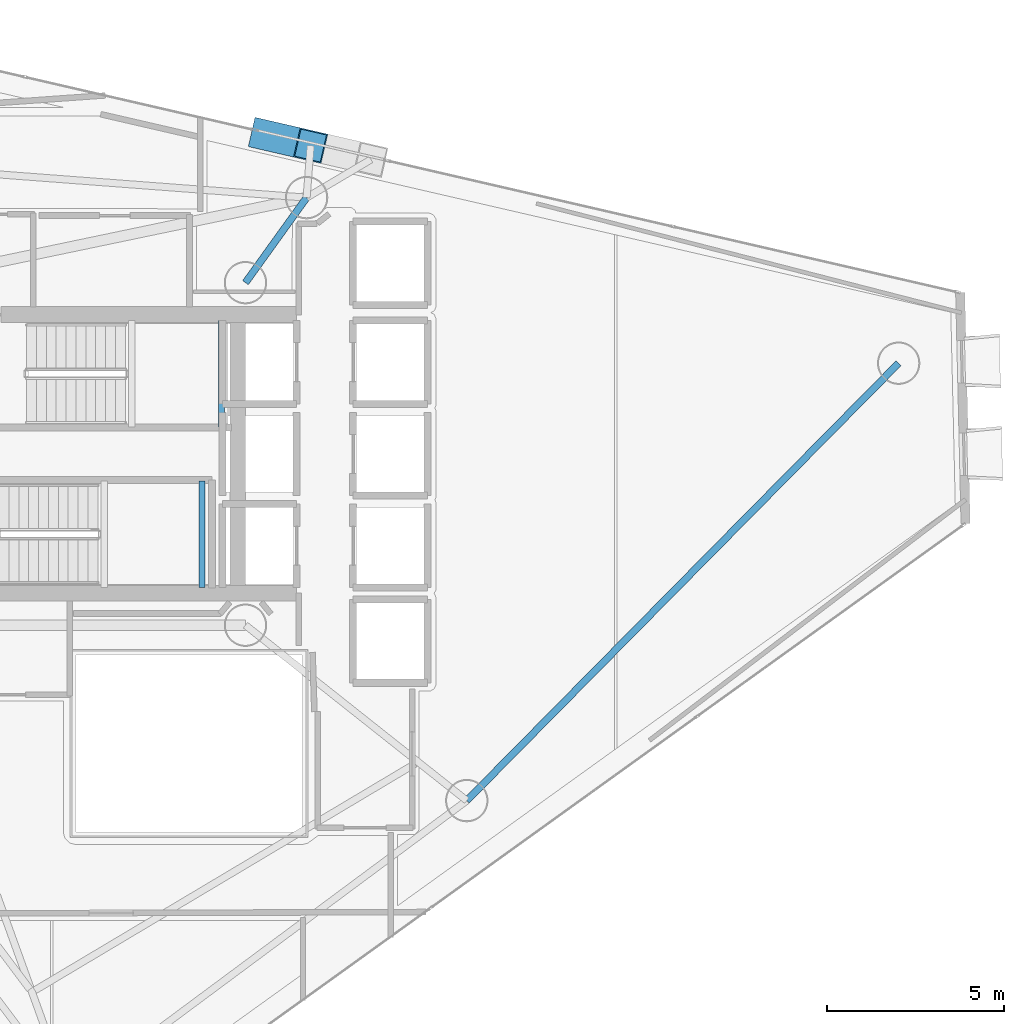
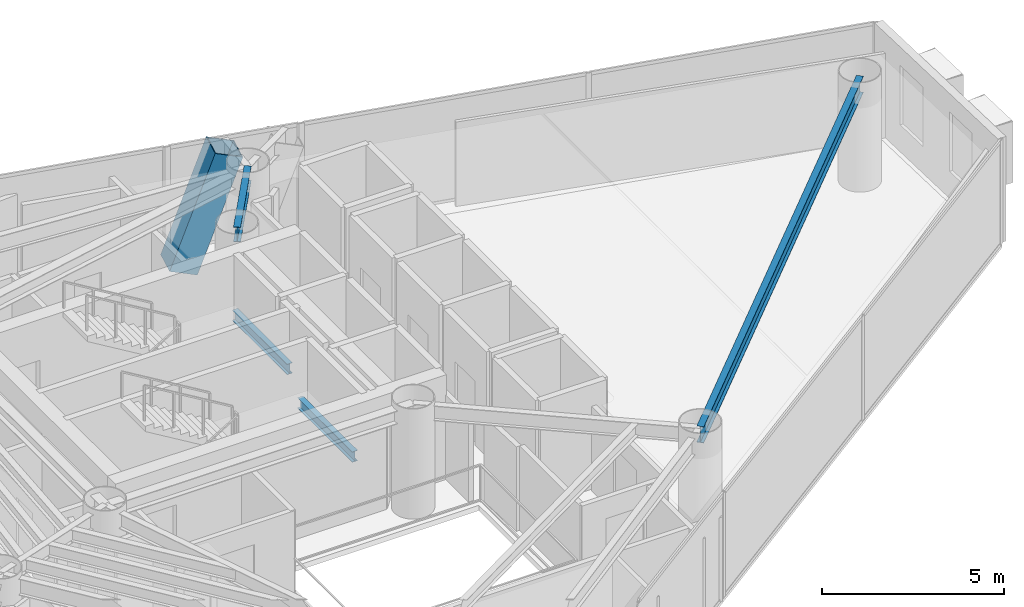
# One storey, part 12 of 22: 4 beams, 1 member.
"""IFC4 building model written with IfcOpenShell, lengths in metres."""

from ifc_helpers import new_model, si_unit, direction, frame, origin, origin_2d, place, context, subcontext, project, spatial, hollow_rectangle, i_section, extrude, material, material_profile, profile_set, type_object, element, save


model = new_model("IFC4")

# Units and contexts
model_context = context("Model", 3, precision=1e-05, world=origin(), true_north=direction((0.0, 1.0)))
body_context = subcontext(model_context, "Body", "Model", "MODEL_VIEW")
ifc_project = project(units=[si_unit("LENGTHUNIT", "METRE"), si_unit("AREAUNIT", "SQUARE_METRE"), si_unit("VOLUMEUNIT", "CUBIC_METRE"), si_unit("PLANEANGLEUNIT", "RADIAN"), si_unit("MASSUNIT", "GRAM", prefix="KILO")], contexts=[model_context])

# Site, building, storey
site_placement = place(None, origin())
site = spatial("IfcSite", under=ifc_project, at=site_placement, CompositionType="ELEMENT")
building_placement = place(site_placement, origin())
building = spatial("IfcBuilding", under=site, at=building_placement, Name="Qianvela Tower", CompositionType="ELEMENT")
storey_placement = place(building_placement, frame((0.0, 0.0, 200.300048828125)))
storey = spatial("IfcBuildingStorey", under=building, at=storey_placement, Name="L51", CompositionType="ELEMENT", Elevation=200.300048828125)

# Beams
ifc_material_1 = material(Name="Steel Q355B", Category="steel")
ifc_material_profile_1 = material_profile(ifc_material_1, i_section(OverallWidth=0.175048828125, OverallDepth=0.35009765625, WebThickness=0.007080078125, FlangeThickness=0.010986328125, at=origin_2d()), Name="HN350x175x7x11")
ifc_profile_set_1 = profile_set([ifc_material_profile_1], Name="Steel Q355B")
beam_type_1 = type_object("IfcBeamType", Name="BM-HN350-JOIST", PredefinedType="JOIST", material=ifc_profile_set_1)
for number, where, z_axis, x_axis, name in (
    (1, (37.719970703125, 29.4599609375, 1.474853515625), (0.0, 1.0, 0.0), (-1.0, 0.0, 0.0), "L51 Stair ST-1 Landing Support Beam 1.2"),
    (2, (37.169921875, 24.919921875, 1.474853515625), (0.0, 1.0, 0.0), (-1.0, 0.0, 0.0), "L51 Stair ST-2 Landing Support Beam 1.2"),
):
    element("IfcBeam", number, at=place(storey_placement, frame(where, z_axis=z_axis, x_axis=x_axis)), inside=storey, type_object=beam_type_1, Name=name, PredefinedType="JOIST", context=body_context, shape_type="SweptSolid", body=[
        extrude(i_section(OverallWidth=0.175048828125, OverallDepth=0.35009765625, WebThickness=0.007080078125, FlangeThickness=0.010986328125, at=origin_2d()), origin(), (0.0, 0.0, 1.0), 3.02001953125),
    ])
ifc_material_2 = material(Name="Steel Q355B", Category="steel")
ifc_material_profile_2 = material_profile(ifc_material_2, i_section(OverallWidth=0.199951171875, OverallDepth=0.5, WebThickness=0.010009765625, FlangeThickness=0.01611328125, at=origin_2d()), Name="HN500x200x10x16")
ifc_profile_set_2 = profile_set([ifc_material_profile_2], Name="Steel Q355B")
beam_type_2 = type_object("IfcBeamType", Name="BM-HN500-GIRD", PredefinedType="BEAM", material=ifc_profile_set_2)
beam_1_placement = place(storey_placement, frame((38.39990234375, 33.550048828125, 3.26806640625), z_axis=(0.583742907536, 0.811938555496, 0.0), x_axis=(-0.811938555496, 0.583742907536, 0.0)))
element("IfcBeam", 3, at=beam_1_placement, inside=storey, type_object=beam_type_2, Name="L51 Radial Primary Floor Girder 2", PredefinedType="BEAM", context=body_context, shape_type="SweptSolid", body=[
    extrude(i_section(OverallWidth=0.199951171875, OverallDepth=0.5, WebThickness=0.010009765625, FlangeThickness=0.01611328125, at=origin_2d()), origin(), (0.0, 0.0, 1.0), 2.965576171875),
])
ifc_material_3 = material(Name="Steel Q355B", Category="steel")
ifc_material_profile_3 = material_profile(ifc_material_3, i_section(OverallWidth=0.199951171875, OverallDepth=0.550048828125, WebThickness=0.010009765625, FlangeThickness=0.01611328125, at=origin_2d()), Name="HN550x200x10x16")
ifc_profile_set_3 = profile_set([ifc_material_profile_3], Name="Steel Q355B")
beam_type_3 = type_object("IfcBeamType", Name="BM-HN550-GIRD", PredefinedType="BEAM", material=ifc_profile_set_3)
beam_2_placement = place(storey_placement, frame((44.6669921875, 18.883056640625, 3.242919921875), z_axis=(0.702583270685, 0.711601537205, 0.0), x_axis=(-0.711601537205, 0.702583270685, 0.0)))
element("IfcBeam", 4, at=beam_2_placement, inside=storey, type_object=beam_type_3, Name="L51 Perimeter Ring Spandrel Girder 6", PredefinedType="BEAM", context=body_context, shape_type="SweptSolid", body=[
    extrude(i_section(OverallWidth=0.199951171875, OverallDepth=0.550048828125, WebThickness=0.010009765625, FlangeThickness=0.01611328125, at=origin_2d()), origin(), (0.0, 0.0, 1.0), 17.4072265625),
])

# Member
ifc_material_4 = material(Name="Steel Q420GJC", Category="steel")
ifc_material_profile_4 = material_profile(ifc_material_4, hollow_rectangle(XDim=0.85009765625, YDim=0.85009765625, WallThickness=0.031982421875, at=origin_2d()), Name="MBOX-850x850x32")
ifc_profile_set_4 = profile_set([ifc_material_profile_4], Name="Steel Q420GJC")
member_type = type_object("IfcMemberType", Name="MBR-MBRACE-850", PredefinedType="BRACE", material=ifc_profile_set_4)
member_placement = place(storey_placement, frame((38.96630859375, 37.72705078125, -0.48193359375), z_axis=(0.325798108725, -0.075184178936, 0.942445187578), x_axis=(0.224859506699, 0.974391195695, 0.0)))
element("IfcMember", 5, at=member_placement, inside=storey, type_object=member_type, Name="L51 Tier 8 Exterior Mega-Brace F1B", PredefinedType="BRACE", context=body_context, shape_type="SweptSolid", body=[
    extrude(hollow_rectangle(XDim=0.85009765625, YDim=0.85009765625, WallThickness=0.031982421875, at=origin_2d()), origin(), (0.0, 0.0, 1.0), 3.926025390625),
])

save(model, "model.ifc")
